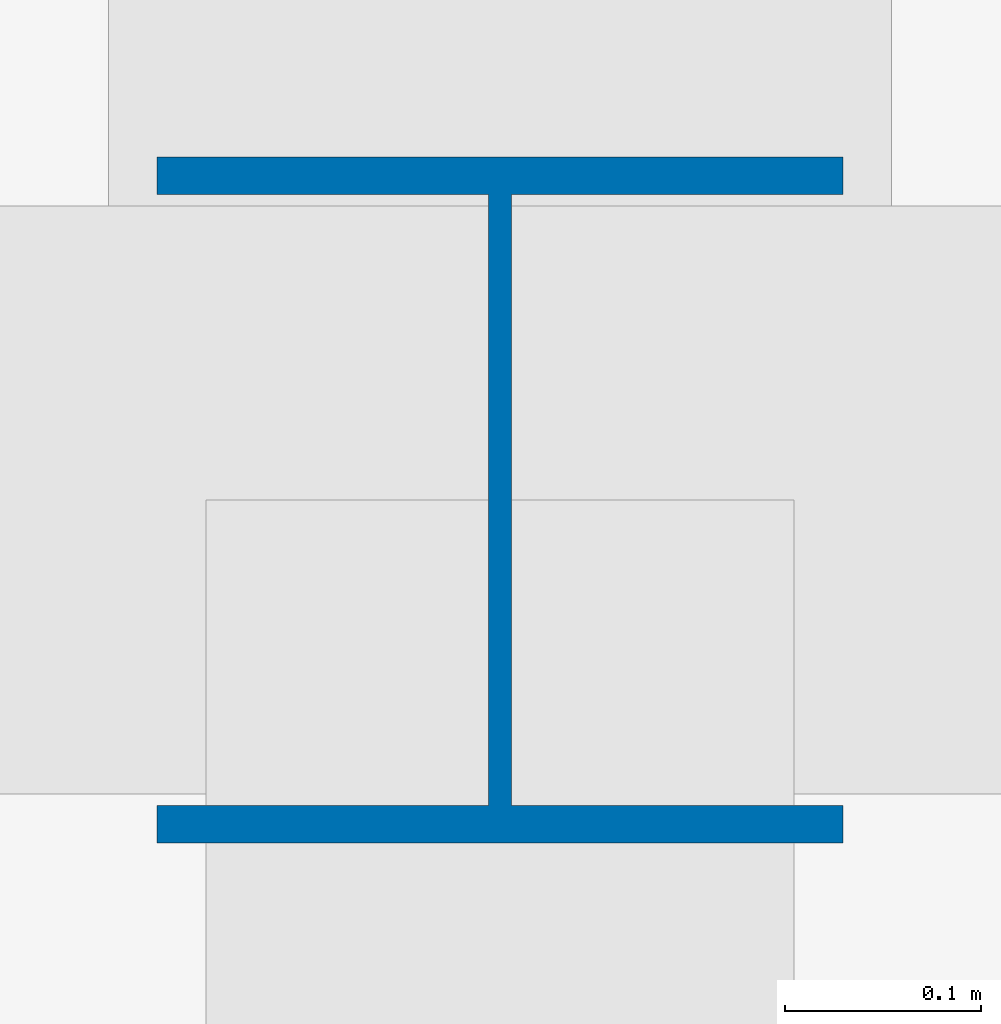
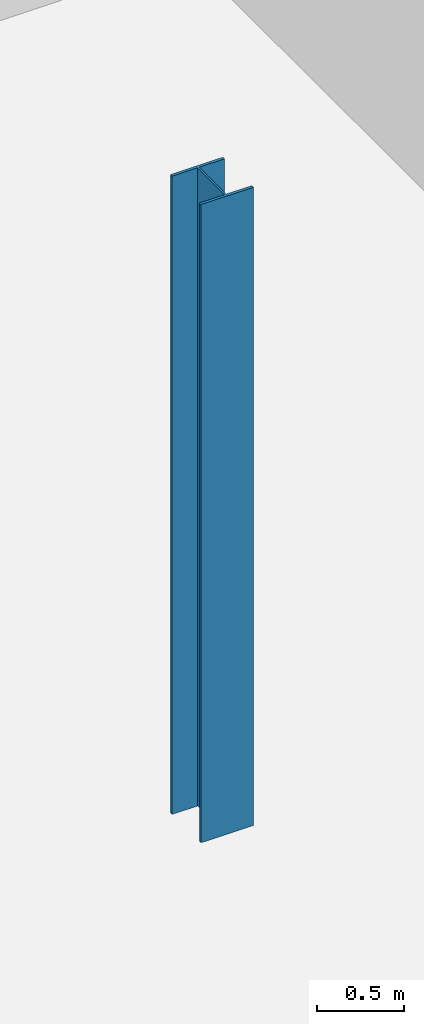
# One storey, part 2 of 23: 1 column.
"""IFC4 building model written with IfcOpenShell, lengths in metres."""

from ifc_helpers import new_model, si_unit, direction, frame, origin, origin_2d, place, context, subcontext, project, spatial, i_section, extrude, source, transform, mapped, material, material_profile, profile_set, type_object, type_shapes, element, save


model = new_model("IFC4")

# Units and contexts
model_context = context("Model", 3, precision=1e-05, world=origin(), true_north=direction((0.0, 1.0)))
body_context = subcontext(model_context, "Body", "Model", "MODEL_VIEW")
ifc_project = project(units=[si_unit("LENGTHUNIT", "METRE"), si_unit("AREAUNIT", "SQUARE_METRE"), si_unit("VOLUMEUNIT", "CUBIC_METRE"), si_unit("PLANEANGLEUNIT", "RADIAN"), si_unit("MASSUNIT", "GRAM", prefix="KILO")], contexts=[model_context])

# Site, building, storey
site_placement = place(None, origin())
site = spatial("IfcSite", under=ifc_project, at=site_placement, CompositionType="ELEMENT")
building_placement = place(site_placement, origin())
building = spatial("IfcBuilding", under=site, at=building_placement, Name="Seokmaru Belvedere", CompositionType="ELEMENT")
storey_placement = place(building_placement, frame((0.0, 0.0, 14.39990234375)))
storey = spatial("IfcBuildingStorey", under=building, at=storey_placement, Name="L03", CompositionType="ELEMENT", Elevation=14.39990234375)

# Column
ifc_material = material(Name="Steel SM355 (355 MPa)", Category="steel")
ifc_material_profile = material_profile(ifc_material, i_section(OverallWidth=0.35009765625, OverallDepth=0.35009765625, WebThickness=0.011962890625, FlangeThickness=0.01904296875, at=origin_2d()), Name="H-350x350x12x19")
ifc_profile_set = profile_set([ifc_material_profile], Name="Steel SM355 (355 MPa)")
column_type = type_object("IfcColumnType", Name="Podium Gallery Column H-350", PredefinedType="COLUMN", material=ifc_profile_set)
shared_shape = source(origin(), body_context, "Body", "SweptSolid", [
    extrude(i_section(OverallWidth=0.35009765625, OverallDepth=0.35009765625, WebThickness=0.011962890625, FlangeThickness=0.01904296875, at=origin_2d()), origin(), (0.0, 0.0, 1.0), 4.5),
])
type_shapes(column_type, [shared_shape])
column_placement = place(storey_placement, frame((-16.5, -9.0, 0.0), z_axis=(0.0, 0.0, 1.0), x_axis=(1.0, 0.0, 0.0)))
element("IfcColumn", 1, at=column_placement, inside=storey, type_object=column_type, Name="L03 Column CP1_3", PredefinedType="COLUMN", context=body_context, shape_type="MappedRepresentation", body=[
    mapped(shared_shape, transform((0.0, 0.0, 0.0), scale=1.0)),
])

save(model, "model.ifc")
